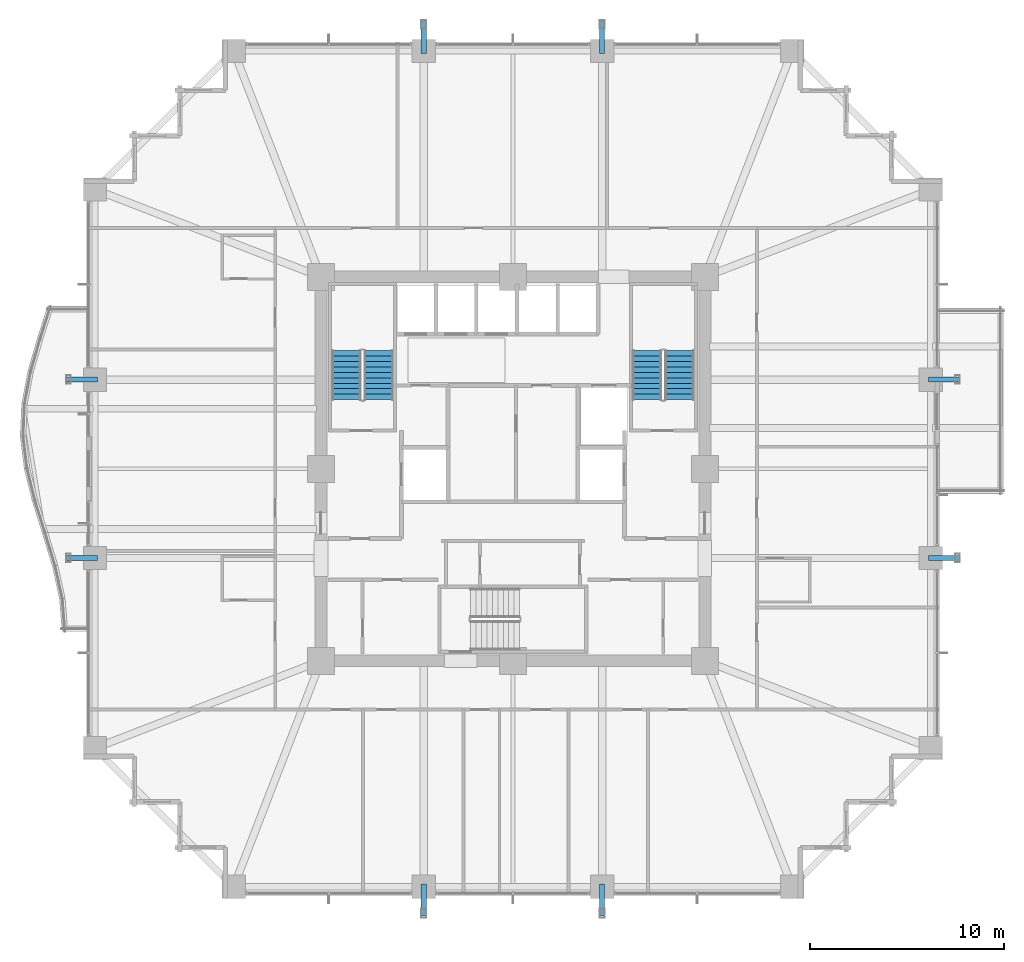
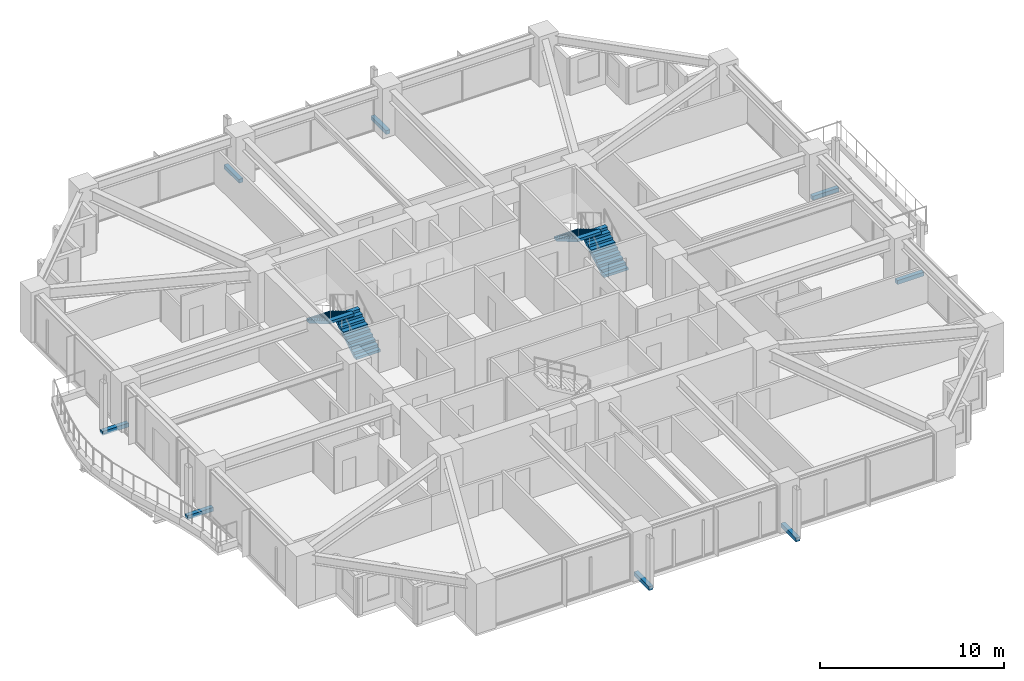
# One storey, part 36 of 38: 8 discrete accessories, 4 stair flights, 2 elements without a shape of their own.
"""IFC4 building model written with IfcOpenShell, lengths in metres."""

from ifc_helpers import new_model, si_unit, direction, frame, origin, origin_2d, place, context, subcontext, project, spatial, polyline, rectangle, outline, extrude, material, type_object, element, aggregate, save


model = new_model("IFC4")

# Units and contexts
model_context = context("Model", 3, precision=1e-05, world=origin(), true_north=direction((0.0, 1.0)))
body_context = subcontext(model_context, "Body", "Model", "MODEL_VIEW")
ifc_project = project(units=[si_unit("LENGTHUNIT", "METRE"), si_unit("AREAUNIT", "SQUARE_METRE"), si_unit("VOLUMEUNIT", "CUBIC_METRE"), si_unit("PLANEANGLEUNIT", "RADIAN"), si_unit("MASSUNIT", "GRAM", prefix="KILO")], contexts=[model_context])

# Site, building, storey
site_placement = place(None, origin())
site = spatial("IfcSite", under=ifc_project, at=site_placement, CompositionType="ELEMENT")
building_placement = place(site_placement, origin())
building = spatial("IfcBuilding", under=site, at=building_placement, Name="Kolvaren Belvedere", CompositionType="ELEMENT")
storey_placement = place(building_placement, frame((0.0, 0.0, 53.5)))
storey = spatial("IfcBuildingStorey", under=building, at=storey_placement, Name="L15", CompositionType="ELEMENT", Elevation=53.5)

# Stair, stair flights
ifc_material_1 = material(Name="Concrete C50/60", Category="concrete")
stair_type = type_object("IfcStairType", Name="ST-CORE-1520", PredefinedType="HALF_TURN_STAIR", material=ifc_material_1)
stair_1_placement = place(storey_placement, origin())
stair_1 = element("IfcStair", 1, at=stair_1_placement, inside=storey, type_object=stair_type, Name="L15 Protected Exit Stair ST-1", PredefinedType="HALF_TURN_STAIR")
ifc_material_2 = material(Name="Concrete C50/60", Category="concrete")
stair_flight_type = type_object("IfcStairFlightType", Name="SF-STR-1520", PredefinedType="STRAIGHT", material=ifc_material_2)
stair_flight_1_placement = place(storey_placement, frame((-6.919921875, 3.570068359375, 0.0), z_axis=(0.0, 0.0, 1.0), x_axis=(0.0, 1.0, 0.0)))
stair_flight_1 = element("IfcStairFlight", 2, at=stair_flight_1_placement, type_object=stair_flight_type, Name="ST-1 flight 1", NumberOfRisers=10, NumberOfTreads=9, PredefinedType="STRAIGHT", RiserHeight=0.165, TreadLength=0.28, context=body_context, shape_type="SweptSolid", body=[
    extrude(outline(polyline([(0.0, 0.0), (0.0, 0.1650390625), (0.280029296875, 0.1650390625), (0.280029296875, 0.330078125), (0.56005859375, 0.330078125), (0.56005859375, 0.4951171875), (0.840087890625, 0.4951171875), (0.840087890625, 0.659912109375), (1.1201171875, 0.659912109375), (1.1201171875, 0.824951171875), (1.39990234375, 0.824951171875), (1.39990234375, 0.989990234375), (1.679931640625, 0.989990234375), (1.679931640625, 1.155029296875), (1.9599609375, 1.155029296875), (1.9599609375, 1.320068359375), (2.239990234375, 1.320068359375), (2.239990234375, 1.485107421875), (2.52001953125, 1.485107421875), (2.52001953125, 1.64990234375), (2.52001953125, 1.31103515625), (0.295166015625, 0.0), (0.0, 0.0)])), frame((0.0, 0.760009765625, 0.0), z_axis=(0.0, -1.0, 0.0), x_axis=(1.0, 0.0, 0.0)), (0.0, 0.0, 1.0), 1.52001953125),
])
stair_flight_2_placement = place(storey_placement, frame((-8.590087890625, 6.090087890625, 1.64990234375), z_axis=(0.0, 0.0, 1.0), x_axis=(0.0, -1.0, 0.0)))
stair_flight_2 = element("IfcStairFlight", 3, at=stair_flight_2_placement, type_object=stair_flight_type, Name="ST-1 flight 2", NumberOfRisers=10, NumberOfTreads=9, PredefinedType="STRAIGHT", RiserHeight=0.165, TreadLength=0.28, context=body_context, shape_type="SweptSolid", body=[
    extrude(outline(polyline([(0.0, 0.0), (0.0, 0.1650390625), (0.280029296875, 0.1650390625), (0.280029296875, 0.330078125), (0.56005859375, 0.330078125), (0.56005859375, 0.4951171875), (0.840087890625, 0.4951171875), (0.840087890625, 0.659912109375), (1.1201171875, 0.659912109375), (1.1201171875, 0.824951171875), (1.39990234375, 0.824951171875), (1.39990234375, 0.989990234375), (1.679931640625, 0.989990234375), (1.679931640625, 1.155029296875), (1.9599609375, 1.155029296875), (1.9599609375, 1.320068359375), (2.239990234375, 1.320068359375), (2.239990234375, 1.485107421875), (2.52001953125, 1.485107421875), (2.52001953125, 1.64990234375), (2.52001953125, 1.31103515625), (0.295166015625, 0.0), (0.0, 0.0)])), frame((0.0, 0.760009765625, 0.0), z_axis=(0.0, -1.0, 0.0), x_axis=(1.0, 0.0, 0.0)), (0.0, 0.0, 1.0), 1.52001953125),
])
aggregate(stair_1, [stair_flight_1, stair_flight_2])

stair_2_placement = place(storey_placement, origin())
stair_2 = element("IfcStair", 4, at=stair_2_placement, inside=storey, type_object=stair_type, Name="L15 Protected Exit Stair ST-2", PredefinedType="HALF_TURN_STAIR")
stair_flight_3_placement = place(storey_placement, frame((8.590087890625, 3.570068359375, 0.0), z_axis=(0.0, 0.0, 1.0), x_axis=(0.0, 1.0, 0.0)))
stair_flight_3 = element("IfcStairFlight", 5, at=stair_flight_3_placement, type_object=stair_flight_type, Name="ST-2 flight 1", NumberOfRisers=10, NumberOfTreads=9, PredefinedType="STRAIGHT", RiserHeight=0.165, TreadLength=0.28, context=body_context, shape_type="SweptSolid", body=[
    extrude(outline(polyline([(0.0, 0.0), (0.0, 0.1650390625), (0.280029296875, 0.1650390625), (0.280029296875, 0.330078125), (0.56005859375, 0.330078125), (0.56005859375, 0.4951171875), (0.840087890625, 0.4951171875), (0.840087890625, 0.659912109375), (1.1201171875, 0.659912109375), (1.1201171875, 0.824951171875), (1.39990234375, 0.824951171875), (1.39990234375, 0.989990234375), (1.679931640625, 0.989990234375), (1.679931640625, 1.155029296875), (1.9599609375, 1.155029296875), (1.9599609375, 1.320068359375), (2.239990234375, 1.320068359375), (2.239990234375, 1.485107421875), (2.52001953125, 1.485107421875), (2.52001953125, 1.64990234375), (2.52001953125, 1.31103515625), (0.295166015625, 0.0), (0.0, 0.0)])), frame((0.0, 0.760009765625, 0.0), z_axis=(0.0, -1.0, 0.0), x_axis=(1.0, 0.0, 0.0)), (0.0, 0.0, 1.0), 1.52001953125),
])
stair_flight_4_placement = place(storey_placement, frame((6.919921875, 6.090087890625, 1.64990234375), z_axis=(0.0, 0.0, 1.0), x_axis=(0.0, -1.0, 0.0)))
stair_flight_4 = element("IfcStairFlight", 6, at=stair_flight_4_placement, type_object=stair_flight_type, Name="ST-2 flight 2", NumberOfRisers=10, NumberOfTreads=9, PredefinedType="STRAIGHT", RiserHeight=0.165, TreadLength=0.28, context=body_context, shape_type="SweptSolid", body=[
    extrude(outline(polyline([(0.0, 0.0), (0.0, 0.1650390625), (0.280029296875, 0.1650390625), (0.280029296875, 0.330078125), (0.56005859375, 0.330078125), (0.56005859375, 0.4951171875), (0.840087890625, 0.4951171875), (0.840087890625, 0.659912109375), (1.1201171875, 0.659912109375), (1.1201171875, 0.824951171875), (1.39990234375, 0.824951171875), (1.39990234375, 0.989990234375), (1.679931640625, 0.989990234375), (1.679931640625, 1.155029296875), (1.9599609375, 1.155029296875), (1.9599609375, 1.320068359375), (2.239990234375, 1.320068359375), (2.239990234375, 1.485107421875), (2.52001953125, 1.485107421875), (2.52001953125, 1.64990234375), (2.52001953125, 1.31103515625), (0.295166015625, 0.0), (0.0, 0.0)])), frame((0.0, 0.760009765625, 0.0), z_axis=(0.0, -1.0, 0.0), x_axis=(1.0, 0.0, 0.0)), (0.0, 0.0, 1.0), 1.52001953125),
])
aggregate(stair_2, [stair_flight_3, stair_flight_4])

# Discrete accessories
ifc_material_3 = material(Name="Structural steel ASTM A572 Grade 50", Category="steel")
discrete_accessory_type = type_object("IfcDiscreteAccessoryType", Name="BRK-1 Steel Facade Support Bracket", PredefinedType="BRACKET", material=ifc_material_3)
for number, where, z_axis, x_axis, name in (
    (7, (-4.60009765625, 22.235107421875, -0.169921875), (0.0, 0.0, 1.0), (0.0, 1.0, 0.0), "L15 Picture-Frame Outrigger Cleat Bracket N1"),
    (8, (4.60009765625, 22.235107421875, -0.169921875), (0.0, 0.0, 1.0), (0.0, 1.0, 0.0), "L15 Picture-Frame Outrigger Cleat Bracket N2"),
    (9, (4.60009765625, -22.235107421875, -0.169921875), (0.0, 0.0, 1.0), (0.0, 1.0, 0.0), "L15 Picture-Frame Outrigger Cleat Bracket S1"),
    (10, (-4.60009765625, -22.235107421875, -0.169921875), (0.0, 0.0, 1.0), (0.0, 1.0, 0.0), "L15 Picture-Frame Outrigger Cleat Bracket S2"),
    (11, (22.235107421875, 4.60009765625, -0.169921875), (0.0, 0.0, 1.0), (1.0, 0.0, 0.0), "L15 Picture-Frame Outrigger Cleat Bracket E1"),
    (12, (22.235107421875, -4.60009765625, -0.169921875), (0.0, 0.0, 1.0), (1.0, 0.0, 0.0), "L15 Picture-Frame Outrigger Cleat Bracket E2"),
    (13, (-22.235107421875, -4.60009765625, -0.169921875), (0.0, 0.0, 1.0), (1.0, 0.0, 0.0), "L15 Picture-Frame Outrigger Cleat Bracket W1"),
    (14, (-22.235107421875, 4.60009765625, -0.169921875), (0.0, 0.0, 1.0), (1.0, 0.0, 0.0), "L15 Picture-Frame Outrigger Cleat Bracket W2"),
):
    element("IfcDiscreteAccessory", number, at=place(storey_placement, frame(where, z_axis=z_axis, x_axis=x_axis)), inside=storey, type_object=discrete_accessory_type, Name=name, PredefinedType="BRACKET", context=body_context, shape_type="SweptSolid", body=[
        extrude(rectangle(XDim=1.639892578125, YDim=0.260009765625, at=origin_2d()), origin(), (0.0, 0.0, 1.0), 0.260009765625),
    ])

save(model, "model.ifc")
